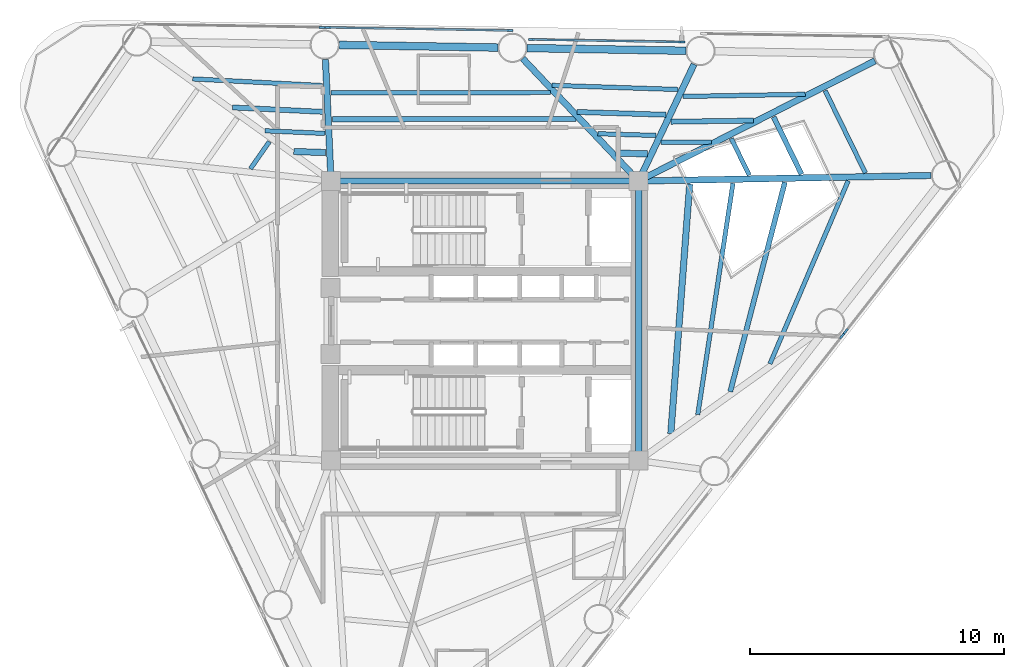
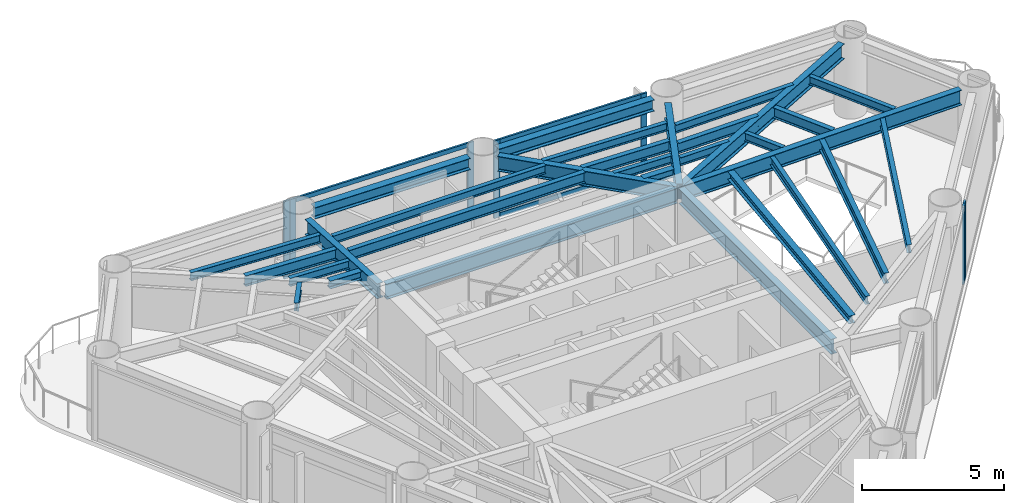
# One storey, part 3 of 10: 30 beams, 12 members, 5 elements without a shape of their own.
"""IFC4 building model written with IfcOpenShell, lengths in metres."""

import ifcopenshell
import ifcopenshell.guid

model = None  # the IFC model being written
_history = None  # IfcOwnerHistory: only IFC2X3 demands one
_inside = {}  # id of a spatial element -> (the spatial element, [elements in it])
_under = {}  # id of a project, library or spatial element -> (it, [spatial elements below it])
_declared = {}  # id of a project -> (the project, [libraries it declares])
_typed = {}  # id of a type object -> (the type object, [elements of that type])
_made_of = {}  # id of a material, layer set ... -> (it, [elements and type objects made of it])


def new_model(schema):
    """Start an empty IFC model of exactly this schema.

    Asked for "IFC4X3", IfcOpenShell would pick the latest addendum, in which some entities
    have other attributes; the version numbers below select the first issue.
    IFC2X3 requires an IfcOwnerHistory on every rooted entity: one is made here for all.
    """
    global model, _history
    if schema == "IFC4X3":
        model = ifcopenshell.file(schema_version=(4, 3, 0, 0))
    else:
        model = ifcopenshell.file(schema=schema)
    _inside.clear()
    _under.clear()
    _declared.clear()
    _typed.clear()
    _made_of.clear()
    _history = None
    if model.schema == "IFC2X3":
        org = make("IfcOrganization", Name="unknown")
        user = make(
            "IfcPersonAndOrganization",
            ThePerson=make("IfcPerson", FamilyName="unknown"),
            TheOrganization=org,
        )
        app = make(
            "IfcApplication",
            ApplicationDeveloper=org,
            Version="unknown",
            ApplicationFullName="unknown",
            ApplicationIdentifier="unknown",
        )
        _history = make(
            "IfcOwnerHistory",
            OwningUser=user,
            OwningApplication=app,
            ChangeAction="ADDED",
            CreationDate=0,
        )
    return model


def make(cls, **values):
    """One entity of the class cls with the attributes given. An attribute that is None is left unset."""
    return model.create_entity(
        cls, **{name: value for name, value in values.items() if value is not None}
    )


def rooted(cls, **values):
    """An entity with a GlobalId (a new one), such as an element, a storey or a relation."""
    return make(cls, GlobalId=ifcopenshell.guid.new(), OwnerHistory=_history, **values)


def si_unit(unit_type, name, prefix=None):
    """IfcSIUnit, for example si_unit("LENGTHUNIT", "METRE", prefix="MILLI")."""
    return make("IfcSIUnit", UnitType=unit_type, Prefix=prefix, Name=name)


def assignment(units):
    """IfcUnitAssignment: the units of a project."""
    return None if units is None else make("IfcUnitAssignment", Units=units)


def point(xyz):
    """IfcCartesianPoint."""
    return None if xyz is None else make("IfcCartesianPoint", Coordinates=xyz)


def direction(xyz):
    """IfcDirection."""
    return None if xyz is None else make("IfcDirection", DirectionRatios=xyz)


def frame(location, z_axis=None, x_axis=None):
    """IfcAxis2Placement3D, a coordinate frame: its origin and axes. An axis left out is left unset."""
    return make(
        "IfcAxis2Placement3D",
        Location=point(location),
        Axis=direction(z_axis),
        RefDirection=direction(x_axis),
    )


def frame_2d(location, x_axis=None):
    """IfcAxis2Placement2D, a coordinate frame in the plane: its origin and x axis."""
    return make(
        "IfcAxis2Placement2D", Location=point(location), RefDirection=direction(x_axis)
    )


def origin():
    """The frame at (0, 0, 0) with its axes left unset."""
    return frame((0.0, 0.0, 0.0))


def origin_2d():
    """The frame at (0, 0) in the plane with its x axis left unset."""
    return frame_2d((0.0, 0.0))


def place(relative_to, where):
    """IfcLocalPlacement: puts the frame where relative to a parent placement (None: the world)."""
    return make(
        "IfcLocalPlacement", PlacementRelTo=relative_to, RelativePlacement=where
    )


def context(
    kind, dimensions, precision=None, world=None, true_north=None, identifier=None
):
    """IfcGeometricRepresentationContext, for example the 3D "Model" context."""
    return make(
        "IfcGeometricRepresentationContext",
        ContextIdentifier=identifier,
        ContextType=kind,
        CoordinateSpaceDimension=dimensions,
        Precision=precision,
        WorldCoordinateSystem=world,
        TrueNorth=true_north,
    )


def subcontext(parent, identifier, kind, view, scale=None):
    """IfcGeometricRepresentationSubContext, for example "Body" below "Model"."""
    return make(
        "IfcGeometricRepresentationSubContext",
        ContextIdentifier=identifier,
        ContextType=kind,
        ParentContext=parent,
        TargetScale=scale,
        TargetView=view,
    )


def project(units=None, contexts=None):
    """IfcProject with its units and contexts."""
    return rooted(
        "IfcProject",
        Name="project",
        RepresentationContexts=contexts,
        UnitsInContext=assignment(units),
    )


def spatial(cls, under=None, at=None, **own):
    """A site, building, storey or space (cls), placed at a placement, below another one or the project."""
    s = rooted(cls, ObjectPlacement=at, **own)
    if under is not None:
        _under.setdefault(under.id(), (under, []))[1].append(s)
    return s


def profile(cls, at=None, kind="AREA", **sizes):
    """A parametric profile (cls). Its sizes go by their IFC names, for example OverallWidth=200.0."""
    return make(cls, ProfileType=kind, Position=at, **sizes)


def rectangle(**sizes):
    """IfcRectangleProfileDef."""
    return profile("IfcRectangleProfileDef", **sizes)


def i_section(**sizes):
    """IfcIShapeProfileDef."""
    return profile("IfcIShapeProfileDef", **sizes)


def extrude(swept, where, along, depth):
    """IfcExtrudedAreaSolid: the profile swept, set in the frame where, extruded along a direction by depth."""
    return make(
        "IfcExtrudedAreaSolid",
        SweptArea=swept,
        Position=where,
        ExtrudedDirection=direction(along),
        Depth=depth,
    )


def shape(context_of_items, identifier, shape_type, items):
    """IfcShapeRepresentation: the items that make up one representation, for example the "Body"."""
    return make(
        "IfcShapeRepresentation",
        ContextOfItems=context_of_items,
        RepresentationIdentifier=identifier,
        RepresentationType=shape_type,
        Items=items,
    )


def source(mapping_origin, context_of_items, identifier, shape_type, items):
    """IfcRepresentationMap: a shape defined once, which mapped items show again and again."""
    return make(
        "IfcRepresentationMap",
        MappingOrigin=mapping_origin,
        MappedRepresentation=shape(context_of_items, identifier, shape_type, items),
    )


def transform(
    local_origin,
    x_axis=None,
    y_axis=None,
    z_axis=None,
    scale=None,
    scale2=None,
    scale3=None,
    uniform=True,
):
    """IfcCartesianTransformationOperator3D, or its non-uniform kind. x_axis, y_axis, z_axis: its Axis1, 2, 3."""
    if uniform:
        return make(
            "IfcCartesianTransformationOperator3D",
            Axis1=direction(x_axis),
            Axis2=direction(y_axis),
            LocalOrigin=point(local_origin),
            Scale=scale,
            Axis3=direction(z_axis),
        )
    return make(
        "IfcCartesianTransformationOperator3DnonUniform",
        Axis1=direction(x_axis),
        Axis2=direction(y_axis),
        LocalOrigin=point(local_origin),
        Scale=scale,
        Axis3=direction(z_axis),
        Scale2=scale2,
        Scale3=scale3,
    )


def mapped(mapping_source, mapping_target):
    """IfcMappedItem: shows the shape of a source again, moved by a transform."""
    return make(
        "IfcMappedItem", MappingSource=mapping_source, MappingTarget=mapping_target
    )


def material(Name=None, Category=None):
    """IfcMaterial."""
    return make("IfcMaterial", Name=Name, Category=Category)


def layer(
    of_material, thickness, ventilated=None, Name=None, Category=None, Priority=None
):
    """IfcMaterialLayer: one layer of a wall or slab, of a material (None: an air gap)."""
    return make(
        "IfcMaterialLayer",
        Material=of_material,
        LayerThickness=thickness,
        IsVentilated=ventilated,
        Name=Name,
        Category=Category,
        Priority=Priority,
    )


def layer_set(layers, Name=None):
    """IfcMaterialLayerSet."""
    return make("IfcMaterialLayerSet", MaterialLayers=layers, LayerSetName=Name)


def material_profile(
    of_material, cross_section, Name=None, Category=None, Priority=None
):
    """IfcMaterialProfile: a cross section and its material."""
    return make(
        "IfcMaterialProfile",
        Name=Name,
        Material=of_material,
        Profile=cross_section,
        Priority=Priority,
        Category=Category,
    )


def profile_set(profiles, Name=None, composite=None):
    """IfcMaterialProfileSet."""
    return make(
        "IfcMaterialProfileSet",
        Name=Name,
        MaterialProfiles=profiles,
        CompositeProfile=composite,
    )


def made_of(thing, what):
    """Note that an element or type object is made of a material, layer set ...; save() writes the relation."""
    if what is not None:
        _made_of.setdefault(what.id(), (what, []))[1].append(thing)
    return thing


def type_object(cls, material=None, **own):
    """A type object (cls), such as IfcWallType, which elements share."""
    return made_of(rooted(cls, **own), material)


def element(
    cls,
    number,
    at=None,
    inside=None,
    cuts=None,
    type_object=None,
    material=None,
    context=None,
    identifier="Body",
    shape_type=None,
    held_by="IfcProductDefinitionShape",
    body=None,
    shapes=None,
    **own,
):
    """One element of the class cls, such as IfcWall. Its Tag is "e" and its number.

    at: its placement. inside: the storey or other place that contains it. cuts: it is an
    opening in that element (IfcRelVoidsElement). A single representation is given by context,
    identifier, shape_type and body (its items); several are given by shapes. held_by: the class
    of the entity that holds the representations. save() writes the other relations.
    """
    e = rooted(cls, Tag="e%d" % number, ObjectPlacement=at, **own)
    if body is not None:
        shapes = [shape(context, identifier, shape_type, body)]
    if shapes is not None:
        e.Representation = make(held_by, Representations=shapes)
    if inside is not None:
        _inside.setdefault(inside.id(), (inside, []))[1].append(e)
    if cuts is not None:
        rooted(
            "IfcRelVoidsElement", RelatingBuildingElement=cuts, RelatedOpeningElement=e
        )
    if type_object is not None:
        _typed.setdefault(type_object.id(), (type_object, []))[1].append(e)
    return made_of(e, material)


def aggregate(whole, parts):
    """IfcRelAggregates: a whole, such as a stair, and the parts it consists of."""
    return rooted("IfcRelAggregates", RelatingObject=whole, RelatedObjects=parts)


def save(model, path):
    """Write the relations noted so far, then the file.

    IfcRelAggregates (storeys below a building ...), IfcRelContainedInSpatialStructure (elements
    in a storey), IfcRelDefinesByType, IfcRelAssociatesMaterial and IfcRelDeclares: one each for
    every whole, place, type object, material and project.
    """
    for whole, parts in _under.values():
        aggregate(whole, parts)
    for where, things in _inside.values():
        rooted(
            "IfcRelContainedInSpatialStructure",
            RelatedElements=things,
            RelatingStructure=where,
        )
    for kind, things in _typed.values():
        rooted("IfcRelDefinesByType", RelatedObjects=things, RelatingType=kind)
    for what, things in _made_of.values():
        rooted("IfcRelAssociatesMaterial", RelatedObjects=things, RelatingMaterial=what)
    for by, libraries in _declared.values():
        rooted("IfcRelDeclares", RelatingContext=by, RelatedDefinitions=libraries)
    model.write(path)


model = new_model("IFC4")

# Units and contexts
model_context = context("Model", 3, precision=1e-05, world=origin(), true_north=direction((0.0, 1.0)))
body_context = subcontext(model_context, "Body", "Model", "MODEL_VIEW")
ifc_project = project(units=[si_unit("LENGTHUNIT", "METRE"), si_unit("AREAUNIT", "SQUARE_METRE"), si_unit("VOLUMEUNIT", "CUBIC_METRE"), si_unit("PLANEANGLEUNIT", "RADIAN"), si_unit("MASSUNIT", "GRAM", prefix="KILO")], contexts=[model_context])

# Site, building, storey
site_placement = place(None, origin())
site = spatial("IfcSite", under=ifc_project, at=site_placement, CompositionType="ELEMENT")
building_placement = place(site_placement, origin())
building = spatial("IfcBuilding", under=site, at=building_placement, Name="Yunling Apex Tower", CompositionType="ELEMENT")
storey_placement = place(building_placement, frame((0.0, 0.0, 215.60009765625)))
storey = spatial("IfcBuildingStorey", under=building, at=storey_placement, Name="L53", CompositionType="ELEMENT", Elevation=215.60009765625)

# Beams
ifc_material_1 = material(Name="Steel Q355B", Category="steel")
ifc_material_profile_1 = material_profile(ifc_material_1, i_section(OverallWidth=0.25, OverallDepth=0.64990234375, WebThickness=0.011962890625, FlangeThickness=0.02001953125, FilletRadius=0.02392578125, at=origin_2d()))
ifc_profile_set_1 = profile_set([ifc_material_profile_1], Name="Steel Q355B")
beam_type_1 = type_object("IfcBeamType", Name="BG-PRI-4", PredefinedType="USERDEFINED", material=ifc_profile_set_1)
shared_shape_1 = source(origin(), body_context, "Body", "SweptSolid", [
    extrude(i_section(OverallWidth=0.25, OverallDepth=0.64990234375, WebThickness=0.011962890625, FlangeThickness=0.02001953125, FilletRadius=0.02392578125, at=origin_2d()), origin(), (0.0, 0.0, 1.0), 11.7998046875),
])
beam_1_placement = place(storey_placement, frame((5.89990234375, 5.5, 2.90478515625), z_axis=(-1.0, 0.0, 0.0), x_axis=(0.0, -1.0, 0.0)))
element("IfcBeam", 1, at=beam_1_placement, inside=storey, type_object=beam_type_1, Name="L53 Core Ring Tie Beam 3", ObjectType="GIRDER", PredefinedType="USERDEFINED", context=body_context, shape_type="MappedRepresentation", body=[
    mapped(shared_shape_1, transform((0.0, 0.0, 0.0), scale=1.0)),
])
shared_shape_2 = source(origin(), body_context, "Body", "SweptSolid", [
    extrude(i_section(OverallWidth=0.25, OverallDepth=0.64990234375, WebThickness=0.011962890625, FlangeThickness=0.02001953125, FilletRadius=0.02392578125, at=origin_2d()), origin(), (0.0, 0.0, 1.0), 10.7001953125),
])
beam_2_placement = place(storey_placement, frame((6.050048828125, -5.35009765625, 2.90478515625), z_axis=(0.0, 1.0, 0.0), x_axis=(-1.0, 0.0, 0.0)))
element("IfcBeam", 2, at=beam_2_placement, inside=storey, type_object=beam_type_1, Name="L53 Core Ring Tie Beam 2", ObjectType="GIRDER", PredefinedType="USERDEFINED", context=body_context, shape_type="MappedRepresentation", body=[
    mapped(shared_shape_2, transform((0.0, 0.0, 0.0), scale=1.0)),
])
ifc_material_profile_2 = material_profile(ifc_material_1, i_section(OverallWidth=0.300048828125, OverallDepth=0.489990234375, WebThickness=0.010986328125, FlangeThickness=0.01806640625, FilletRadius=0.02197265625, at=origin_2d()))
ifc_profile_set_2 = profile_set([ifc_material_profile_2], Name="Steel Q355B")
beam_type_2 = type_object("IfcBeamType", Name="BP-SPN-2", PredefinedType="SPANDREL", material=ifc_profile_set_2)
shared_shape_3 = source(origin(), body_context, "Body", "SweptSolid", [
    extrude(i_section(OverallWidth=0.300048828125, OverallDepth=0.489990234375, WebThickness=0.010986328125, FlangeThickness=0.01806640625, FilletRadius=0.02197265625, at=origin_2d()), origin(), (0.0, 0.0, 1.0), 6.253173828125),
])
for number, where, z_axis, x_axis, name in (
    (3, (7.9130859375, 10.627197265625, 2.98486328125), (-0.999859061432, 0.016788605428, 0.0), (-0.016788605428, -0.999859061432, 0.0), "L53 Perimeter Spandrel Beam 7"),
    (4, (0.523193359375, 10.751220703125, 2.98486328125), (-0.99985971606, 0.016749573126, 0.0), (-0.016749573126, -0.99985971606, 0.0), "L53 Perimeter Spandrel Beam 8"),
):
    element("IfcBeam", number, at=place(storey_placement, frame(where, z_axis=z_axis, x_axis=x_axis)), inside=storey, type_object=beam_type_2, Name=name, PredefinedType="SPANDREL", context=body_context, shape_type="MappedRepresentation", body=[
        mapped(shared_shape_3, transform((0.0, 0.0, 0.0), scale=1.0)),
    ])
shared_shape_4 = source(origin(), body_context, "Body", "SweptSolid", [
    extrude(i_section(OverallWidth=0.25, OverallDepth=0.64990234375, WebThickness=0.011962890625, FlangeThickness=0.02001953125, FilletRadius=0.02392578125, at=origin_2d()), origin(), (0.0, 0.0, 1.0), 5.00341796875),
])
beam_3_placement = place(storey_placement, frame((8.231689453125, 10.09130859375, 2.90478515625), z_axis=(-0.429206106824, -0.903206575411, 0.0), x_axis=(0.903206575411, -0.429206106824, 0.0)))
element("IfcBeam", 5, at=beam_3_placement, inside=storey, type_object=beam_type_1, Name="L53 Radial Primary Girder R07", ObjectType="GIRDER", PredefinedType="USERDEFINED", context=body_context, shape_type="MappedRepresentation", body=[
    mapped(shared_shape_4, transform((0.0, 0.0, 0.0), scale=1.0)),
])
shared_shape_5 = source(origin(), body_context, "Body", "SweptSolid", [
    extrude(i_section(OverallWidth=0.25, OverallDepth=0.64990234375, WebThickness=0.011962890625, FlangeThickness=0.02001953125, FilletRadius=0.02392578125, at=origin_2d()), origin(), (0.0, 0.0, 1.0), 6.552001953125),
])
beam_4_placement = place(storey_placement, frame((1.49267578125, 10.318115234375, 2.90478515625), z_axis=(0.687178062581, -0.726489029723, 0.0), x_axis=(0.726489029723, 0.687178062581, 0.0)))
element("IfcBeam", 6, at=beam_4_placement, inside=storey, type_object=beam_type_1, Name="L53 Radial Primary Girder R08", ObjectType="GIRDER", PredefinedType="USERDEFINED", context=body_context, shape_type="MappedRepresentation", body=[
    mapped(shared_shape_5, transform((0.0, 0.0, 0.0), scale=1.0)),
])
shared_shape_6 = source(origin(), body_context, "Body", "SweptSolid", [
    extrude(i_section(OverallWidth=0.25, OverallDepth=0.64990234375, WebThickness=0.011962890625, FlangeThickness=0.02001953125, FilletRadius=0.02392578125, at=origin_2d()), origin(), (0.0, 0.0, 1.0), 4.70849609375),
])
beam_5_placement = place(storey_placement, frame((-6.27099609375, 10.283203125, 2.90478515625), z_axis=(0.046148548326, -0.998934588193, 0.0), x_axis=(0.998934588193, 0.046148548326, 0.0)))
element("IfcBeam", 7, at=beam_5_placement, inside=storey, type_object=beam_type_1, Name="L53 Radial Primary Girder R09", ObjectType="GIRDER", PredefinedType="USERDEFINED", context=body_context, shape_type="MappedRepresentation", body=[
    mapped(shared_shape_6, transform((0.0, 0.0, 0.0), scale=1.0)),
])
ifc_material_profile_3 = material_profile(ifc_material_1, i_section(OverallWidth=0.25, OverallDepth=0.340087890625, WebThickness=0.009033203125, FlangeThickness=0.013916015625, FilletRadius=0.01806640625, at=origin_2d()))
ifc_profile_set_3 = profile_set([ifc_material_profile_3], Name="Steel Q355B")
beam_type_3 = type_object("IfcBeamType", Name="BJ-JST-2", PredefinedType="JOIST", material=ifc_profile_set_3)
shared_shape_7 = source(origin(), body_context, "Body", "SweptSolid", [
    extrude(i_section(OverallWidth=0.25, OverallDepth=0.340087890625, WebThickness=0.009033203125, FlangeThickness=0.013916015625, FilletRadius=0.01806640625, at=origin_2d()), origin(), (0.0, 0.0, 1.0), 1.23291015625),
])
beam_6_placement = place(storey_placement, frame((6.396728515625, 6.570556640625, 3.059814453125), z_axis=(-0.999688635189, 0.024952608565, 0.0), x_axis=(-0.024952608565, -0.999688635189, 0.0)))
element("IfcBeam", 8, at=beam_6_placement, inside=storey, type_object=beam_type_3, Name="L53 Composite Floor Joist BJ2-7", PredefinedType="JOIST", context=body_context, shape_type="MappedRepresentation", body=[
    mapped(shared_shape_7, transform((0.0, 0.0, 0.0), scale=1.0)),
])
ifc_material_profile_4 = material_profile(ifc_material_1, i_section(OverallWidth=0.175048828125, OverallDepth=0.35009765625, WebThickness=0.007080078125, FlangeThickness=0.010986328125, FilletRadius=0.013916015625, at=origin_2d()))
ifc_profile_set_4 = profile_set([ifc_material_profile_4], Name="Steel Q355B")
beam_type_4 = type_object("IfcBeamType", Name="BJ-JST-1", PredefinedType="JOIST", material=ifc_profile_set_4)
shared_shape_8 = source(origin(), body_context, "Body", "SweptSolid", [
    extrude(i_section(OverallWidth=0.175048828125, OverallDepth=0.35009765625, WebThickness=0.007080078125, FlangeThickness=0.010986328125, FilletRadius=0.013916015625, at=origin_2d()), origin(), (0.0, 0.0, 1.0), 8.643310546875),
])
beam_7_placement = place(storey_placement, frame((2.59326171875, 8.985107421875, 3.054931640625), z_axis=(-0.999997695824, -0.002146705784, 0.0), x_axis=(0.002146705784, -0.999997695824, 0.0)))
element("IfcBeam", 9, at=beam_7_placement, inside=storey, type_object=beam_type_4, Name="L53 Composite Floor Joist BJ1-8", PredefinedType="JOIST", context=body_context, shape_type="MappedRepresentation", body=[
    mapped(shared_shape_8, transform((0.0, 0.0, 0.0), scale=1.0)),
])
ifc_material_profile_5 = material_profile(ifc_material_1, i_section(OverallWidth=0.199951171875, OverallDepth=0.449951171875, WebThickness=0.009033203125, FlangeThickness=0.013916015625, FilletRadius=0.01806640625, at=origin_2d()))
ifc_profile_set_5 = profile_set([ifc_material_profile_5], Name="Steel Q355B")
beam_type_5 = type_object("IfcBeamType", Name="BS-SEC-3", PredefinedType="BEAM", material=ifc_profile_set_5)
shared_shape_9 = source(origin(), body_context, "Body", "SweptSolid", [
    extrude(i_section(OverallWidth=0.199951171875, OverallDepth=0.449951171875, WebThickness=0.009033203125, FlangeThickness=0.013916015625, FilletRadius=0.01806640625, at=origin_2d()), origin(), (0.0, 0.0, 1.0), 3.599853515625),
])
beam_8_placement = place(storey_placement, frame((-6.335205078125, 8.221435546875, 3.0048828125), z_axis=(-0.998820387083, 0.048557536471, 0.0), x_axis=(-0.048557536471, -0.998820387083, 0.0)))
element("IfcBeam", 10, at=beam_8_placement, inside=storey, type_object=beam_type_5, Name="L53 Composite Floor Beam BS-9", PredefinedType="BEAM", context=body_context, shape_type="MappedRepresentation", body=[
    mapped(shared_shape_9, transform((0.0, 0.0, 0.0), scale=1.0)),
])
shared_shape_10 = source(origin(), body_context, "Body", "SweptSolid", [
    extrude(i_section(OverallWidth=0.175048828125, OverallDepth=0.35009765625, WebThickness=0.007080078125, FlangeThickness=0.010986328125, FilletRadius=0.013916015625, at=origin_2d()), origin(), (0.0, 0.0, 1.0), 5.116455078125),
])
beam_9_placement = place(storey_placement, frame((-6.3828125, 9.256591796875, 3.054931640625), z_axis=(-0.998690915519, 0.051151297728, 0.0), x_axis=(-0.051151297728, -0.998690915519, 0.0)))
element("IfcBeam", 11, at=beam_9_placement, inside=storey, type_object=beam_type_4, Name="L53 Composite Floor Joist BJ1-9", PredefinedType="JOIST", context=body_context, shape_type="MappedRepresentation", body=[
    mapped(shared_shape_10, transform((0.0, 0.0, 0.0), scale=1.0)),
])
shared_shape_11 = source(origin(), body_context, "Body", "SweptSolid", [
    extrude(i_section(OverallWidth=0.175048828125, OverallDepth=0.35009765625, WebThickness=0.007080078125, FlangeThickness=0.010986328125, FilletRadius=0.013916015625, at=origin_2d()), origin(), (0.0, 0.0, 1.0), 2.35888671875),
])
beam_10_placement = place(storey_placement, frame((-6.296142578125, 7.374267578125, 3.054931640625), z_axis=(-0.999023067934, 0.044191738321, 0.0), x_axis=(-0.044191738321, -0.999023067934, 0.0)))
element("IfcBeam", 12, at=beam_10_placement, inside=storey, type_object=beam_type_4, Name="L53 Composite Floor Joist BJ3-9", PredefinedType="JOIST", context=body_context, shape_type="MappedRepresentation", body=[
    mapped(shared_shape_11, transform((0.0, 0.0, 0.0), scale=1.0)),
])
shared_shape_12 = source(origin(), body_context, "Body", "SweptSolid", [
    extrude(i_section(OverallWidth=0.25, OverallDepth=0.340087890625, WebThickness=0.009033203125, FlangeThickness=0.013916015625, FilletRadius=0.01806640625, at=origin_2d()), origin(), (0.0, 0.0, 1.0), 1.256103515625),
])
beam_11_placement = place(storey_placement, frame((-6.261474609375, 6.6201171875, 3.059814453125), z_axis=(-0.999394634841, 0.034790283866, 0.0), x_axis=(-0.034790283866, -0.999394634841, 0.0)))
element("IfcBeam", 13, at=beam_11_placement, inside=storey, type_object=beam_type_3, Name="L53 Composite Floor Joist BJ2-9", PredefinedType="JOIST", context=body_context, shape_type="MappedRepresentation", body=[
    mapped(shared_shape_12, transform((0.0, 0.0, 0.0), scale=1.0)),
])
shared_shape_13 = source(origin(), body_context, "Body", "SweptSolid", [
    extrude(i_section(OverallWidth=0.175048828125, OverallDepth=0.35009765625, WebThickness=0.007080078125, FlangeThickness=0.010986328125, FilletRadius=0.013916015625, at=origin_2d()), origin(), (0.0, 0.0, 1.0), 1.29736328125),
])
beam_12_placement = place(storey_placement, frame((-8.478515625, 7.04833984375, 3.054931640625), z_axis=(-0.572590644925, -0.819841419632, 0.0), x_axis=(0.819841419632, -0.572590644925, 0.0)))
element("IfcBeam", 14, at=beam_12_placement, inside=storey, type_object=beam_type_4, Name="L53 Composite Floor Joist BJ3-10", PredefinedType="JOIST", context=body_context, shape_type="MappedRepresentation", body=[
    mapped(shared_shape_13, transform((0.0, 0.0, 0.0), scale=1.0)),
])
shared_shape_14 = source(origin(), body_context, "Body", "SweptSolid", [
    extrude(i_section(OverallWidth=0.25, OverallDepth=0.64990234375, WebThickness=0.011962890625, FlangeThickness=0.02001953125, FilletRadius=0.02392578125, at=origin_2d()), origin(), (0.0, 0.0, 1.0), 11.43310546875),
])
beam_13_placement = place(storey_placement, frame((17.560791015625, 5.719482421875, 2.90478515625), z_axis=(-0.99981816684, -0.019069170308, 0.0), x_axis=(0.019069170308, -0.99981816684, 0.0)))
element("IfcBeam", 15, at=beam_13_placement, inside=storey, type_object=beam_type_1, Name="L53 Radial Primary Girder R05", ObjectType="GIRDER", PredefinedType="USERDEFINED", context=body_context, shape_type="MappedRepresentation", body=[
    mapped(shared_shape_14, transform((0.0, 0.0, 0.0), scale=1.0)),
])
shared_shape_15 = source(origin(), body_context, "Body", "SweptSolid", [
    extrude(i_section(OverallWidth=0.25, OverallDepth=0.64990234375, WebThickness=0.011962890625, FlangeThickness=0.02001953125, FilletRadius=0.02392578125, at=origin_2d()), origin(), (0.0, 0.0, 1.0), 10.35546875),
])
beam_14_placement = place(storey_placement, frame((15.35205078125, 10.229736328125, 2.90478515625), z_axis=(-0.891393848029, -0.453229530919, 0.0), x_axis=(0.453229530919, -0.891393848029, 0.0)))
element("IfcBeam", 16, at=beam_14_placement, inside=storey, type_object=beam_type_1, Name="L53 Radial Primary Girder R06", ObjectType="GIRDER", PredefinedType="USERDEFINED", context=body_context, shape_type="MappedRepresentation", body=[
    mapped(shared_shape_15, transform((0.0, 0.0, 0.0), scale=1.0)),
])
shared_shape_16 = source(origin(), body_context, "Body", "SweptSolid", [
    extrude(i_section(OverallWidth=0.199951171875, OverallDepth=0.449951171875, WebThickness=0.009033203125, FlangeThickness=0.013916015625, FilletRadius=0.01806640625, at=origin_2d()), origin(), (0.0, 0.0, 1.0), 8.5185546875),
])
beam_15_placement = place(storey_placement, frame((9.65576171875, -2.787109375, 3.0048828125), z_axis=(0.252321560856, 0.967643441525, 0.0), x_axis=(-0.967643441525, 0.252321560856, 0.0)))
element("IfcBeam", 17, at=beam_15_placement, inside=storey, type_object=beam_type_5, Name="L53 Composite Floor Beam BS-4", PredefinedType="BEAM", context=body_context, shape_type="MappedRepresentation", body=[
    mapped(shared_shape_16, transform((0.0, 0.0, 0.0), scale=1.0)),
])
shared_shape_17 = source(origin(), body_context, "Body", "SweptSolid", [
    extrude(i_section(OverallWidth=0.175048828125, OverallDepth=0.35009765625, WebThickness=0.007080078125, FlangeThickness=0.010986328125, FilletRadius=0.013916015625, at=origin_2d()), origin(), (0.0, 0.0, 1.0), 7.83154296875),
])
beam_16_placement = place(storey_placement, frame((11.218505859375, -1.689697265625, 3.054931640625), z_axis=(0.393136578387, 0.919480087187, 0.0), x_axis=(-0.919480087187, 0.393136578387, 0.0)))
element("IfcBeam", 18, at=beam_16_placement, inside=storey, type_object=beam_type_4, Name="L53 Composite Floor Joist BJ1-4", PredefinedType="JOIST", context=body_context, shape_type="MappedRepresentation", body=[
    mapped(shared_shape_17, transform((0.0, 0.0, 0.0), scale=1.0)),
])
shared_shape_18 = source(origin(), body_context, "Body", "SweptSolid", [
    extrude(i_section(OverallWidth=0.175048828125, OverallDepth=0.35009765625, WebThickness=0.007080078125, FlangeThickness=0.010986328125, FilletRadius=0.013916015625, at=origin_2d()), origin(), (0.0, 0.0, 1.0), 9.20556640625),
])
beam_17_placement = place(storey_placement, frame((8.37939453125, -3.687744140625, 3.054931640625), z_axis=(0.15040086167, 0.988625096186, 0.0), x_axis=(-0.988625096186, 0.15040086167, 0.0)))
element("IfcBeam", 19, at=beam_17_placement, inside=storey, type_object=beam_type_4, Name="L53 Composite Floor Joist BJ3-4", PredefinedType="JOIST", context=body_context, shape_type="MappedRepresentation", body=[
    mapped(shared_shape_18, transform((0.0, 0.0, 0.0), scale=1.0)),
])
shared_shape_19 = source(origin(), body_context, "Body", "SweptSolid", [
    extrude(i_section(OverallWidth=0.25, OverallDepth=0.340087890625, WebThickness=0.009033203125, FlangeThickness=0.013916015625, FilletRadius=0.01806640625, at=origin_2d()), origin(), (0.0, 0.0, 1.0), 9.846923828125),
])
beam_18_placement = place(storey_placement, frame((7.317138671875, -4.43994140625, 3.059814453125), z_axis=(0.075570246767, 0.997140480476, 0.0), x_axis=(-0.997140480476, 0.075570246767, 0.0)))
element("IfcBeam", 20, at=beam_18_placement, inside=storey, type_object=beam_type_3, Name="L53 Composite Floor Joist BJ2-4", PredefinedType="JOIST", context=body_context, shape_type="MappedRepresentation", body=[
    mapped(shared_shape_19, transform((0.0, 0.0, 0.0), scale=1.0)),
])
shared_shape_20 = source(origin(), body_context, "Body", "SweptSolid", [
    extrude(i_section(OverallWidth=0.199951171875, OverallDepth=0.449951171875, WebThickness=0.009033203125, FlangeThickness=0.013916015625, FilletRadius=0.01806640625, at=origin_2d()), origin(), (0.0, 0.0, 1.0), 2.5078125),
])
beam_19_placement = place(storey_placement, frame((12.461181640625, 5.767333984375, 3.0048828125), z_axis=(-0.438782283506, 0.898593405095, 0.0), x_axis=(-0.898593405095, -0.438782283506, 0.0)))
element("IfcBeam", 21, at=beam_19_placement, inside=storey, type_object=beam_type_5, Name="L53 Composite Floor Beam BS-5", PredefinedType="BEAM", context=body_context, shape_type="MappedRepresentation", body=[
    mapped(shared_shape_20, transform((0.0, 0.0, 0.0), scale=1.0)),
])
shared_shape_21 = source(origin(), body_context, "Body", "SweptSolid", [
    extrude(i_section(OverallWidth=0.175048828125, OverallDepth=0.35009765625, WebThickness=0.007080078125, FlangeThickness=0.010986328125, FilletRadius=0.013916015625, at=origin_2d()), origin(), (0.0, 0.0, 1.0), 3.60498046875),
])
beam_20_placement = place(storey_placement, frame((14.975830078125, 5.815185546875, 3.054931640625), z_axis=(-0.439449397957, 0.898267346972, 0.0), x_axis=(-0.898267346972, -0.439449397957, 0.0)))
element("IfcBeam", 22, at=beam_20_placement, inside=storey, type_object=beam_type_4, Name="L53 Composite Floor Joist BJ1-5", PredefinedType="JOIST", context=body_context, shape_type="MappedRepresentation", body=[
    mapped(shared_shape_21, transform((0.0, 0.0, 0.0), scale=1.0)),
])
shared_shape_22 = source(origin(), body_context, "Body", "SweptSolid", [
    extrude(i_section(OverallWidth=0.175048828125, OverallDepth=0.35009765625, WebThickness=0.007080078125, FlangeThickness=0.010986328125, FilletRadius=0.013916015625, at=origin_2d()), origin(), (0.0, 0.0, 1.0), 1.610107421875),
])
beam_21_placement = place(storey_placement, frame((10.40380859375, 5.728271484375, 3.054931640625), z_axis=(-0.437787155183, 0.899078643255, 0.0), x_axis=(-0.899078643255, -0.437787155183, 0.0)))
element("IfcBeam", 23, at=beam_21_placement, inside=storey, type_object=beam_type_4, Name="L53 Composite Floor Joist BJ3-5", PredefinedType="JOIST", context=body_context, shape_type="MappedRepresentation", body=[
    mapped(shared_shape_22, transform((0.0, 0.0, 0.0), scale=1.0)),
])
shared_shape_23 = source(origin(), body_context, "Body", "SweptSolid", [
    extrude(i_section(OverallWidth=0.199951171875, OverallDepth=0.449951171875, WebThickness=0.009033203125, FlangeThickness=0.013916015625, FilletRadius=0.01806640625, at=origin_2d()), origin(), (0.0, 0.0, 1.0), 3.2587890625),
])
beam_22_placement = place(storey_placement, frame((10.57666015625, 7.880615234375, 3.0048828125), z_axis=(-0.999897622924, -0.01430886686, 0.0), x_axis=(0.01430886686, -0.999897622924, 0.0)))
element("IfcBeam", 24, at=beam_22_placement, inside=storey, type_object=beam_type_5, Name="L53 Composite Floor Beam BS-6", PredefinedType="BEAM", context=body_context, shape_type="MappedRepresentation", body=[
    mapped(shared_shape_23, transform((0.0, 0.0, 0.0), scale=1.0)),
])
shared_shape_24 = source(origin(), body_context, "Body", "SweptSolid", [
    extrude(i_section(OverallWidth=0.175048828125, OverallDepth=0.35009765625, WebThickness=0.007080078125, FlangeThickness=0.010986328125, FilletRadius=0.013916015625, at=origin_2d()), origin(), (0.0, 0.0, 1.0), 4.81787109375),
])
beam_23_placement = place(storey_placement, frame((12.607421875, 8.912841796875, 3.054931640625), z_axis=(-0.99984716936, -0.017482503341, 0.0), x_axis=(0.017482503341, -0.99984716936, 0.0)))
element("IfcBeam", 25, at=beam_23_placement, inside=storey, type_object=beam_type_4, Name="L53 Composite Floor Joist BJ1-6", PredefinedType="JOIST", context=body_context, shape_type="MappedRepresentation", body=[
    mapped(shared_shape_24, transform((0.0, 0.0, 0.0), scale=1.0)),
])
shared_shape_25 = source(origin(), body_context, "Body", "SweptSolid", [
    extrude(i_section(OverallWidth=0.175048828125, OverallDepth=0.35009765625, WebThickness=0.007080078125, FlangeThickness=0.010986328125, FilletRadius=0.013916015625, at=origin_2d()), origin(), (0.0, 0.0, 1.0), 1.98388671875),
])
beam_24_placement = place(storey_placement, frame((8.915283203125, 7.036865234375, 3.054931640625), z_axis=(-0.999962898772, -0.008614004789, 0.0), x_axis=(0.008614004789, -0.999962898772, 0.0)))
element("IfcBeam", 26, at=beam_24_placement, inside=storey, type_object=beam_type_4, Name="L53 Composite Floor Joist BJ3-6", PredefinedType="JOIST", context=body_context, shape_type="MappedRepresentation", body=[
    mapped(shared_shape_25, transform((0.0, 0.0, 0.0), scale=1.0)),
])
shared_shape_26 = source(origin(), body_context, "Body", "SweptSolid", [
    extrude(i_section(OverallWidth=0.199951171875, OverallDepth=0.449951171875, WebThickness=0.009033203125, FlangeThickness=0.013916015625, FilletRadius=0.01806640625, at=origin_2d()), origin(), (0.0, 0.0, 1.0), 3.4951171875),
])
beam_25_placement = place(storey_placement, frame((7.126953125, 8.10791015625, 3.0048828125), z_axis=(-0.999497037743, 0.03171232477, 0.0), x_axis=(-0.03171232477, -0.999497037743, 0.0)))
element("IfcBeam", 27, at=beam_25_placement, inside=storey, type_object=beam_type_5, Name="L53 Composite Floor Beam BS-7", PredefinedType="BEAM", context=body_context, shape_type="MappedRepresentation", body=[
    mapped(shared_shape_26, transform((0.0, 0.0, 0.0), scale=1.0)),
])
shared_shape_27 = source(origin(), body_context, "Body", "SweptSolid", [
    extrude(i_section(OverallWidth=0.175048828125, OverallDepth=0.35009765625, WebThickness=0.007080078125, FlangeThickness=0.010986328125, FilletRadius=0.013916015625, at=origin_2d()), origin(), (0.0, 0.0, 1.0), 4.958984375),
])
beam_26_placement = place(storey_placement, frame((7.599365234375, 9.102294921875, 3.054931640625), z_axis=(-0.999457457417, 0.032936162702, 0.0), x_axis=(-0.032936162702, -0.999457457417, 0.0)))
element("IfcBeam", 28, at=beam_26_placement, inside=storey, type_object=beam_type_4, Name="L53 Composite Floor Joist BJ1-7", PredefinedType="JOIST", context=body_context, shape_type="MappedRepresentation", body=[
    mapped(shared_shape_27, transform((0.0, 0.0, 0.0), scale=1.0)),
])
shared_shape_28 = source(origin(), body_context, "Body", "SweptSolid", [
    extrude(i_section(OverallWidth=0.175048828125, OverallDepth=0.35009765625, WebThickness=0.007080078125, FlangeThickness=0.010986328125, FilletRadius=0.013916015625, at=origin_2d()), origin(), (0.0, 0.0, 1.0), 2.29736328125),
])
beam_27_placement = place(storey_placement, frame((6.740478515625, 7.294189453125, 3.054931640625), z_axis=(-0.999560375387, 0.029648877816, 0.0), x_axis=(-0.029648877816, -0.999560375387, 0.0)))
element("IfcBeam", 29, at=beam_27_placement, inside=storey, type_object=beam_type_4, Name="L53 Composite Floor Joist BJ3-7", PredefinedType="JOIST", context=body_context, shape_type="MappedRepresentation", body=[
    mapped(shared_shape_28, transform((0.0, 0.0, 0.0), scale=1.0)),
])
shared_shape_29 = source(origin(), body_context, "Body", "SweptSolid", [
    extrude(i_section(OverallWidth=0.199951171875, OverallDepth=0.449951171875, WebThickness=0.009033203125, FlangeThickness=0.013916015625, FilletRadius=0.01806640625, at=origin_2d()), origin(), (0.0, 0.0, 1.0), 9.586181640625),
])
beam_28_placement = place(storey_placement, frame((3.583984375, 7.93798828125, 3.0048828125), z_axis=(-0.999999780767, -0.000662167179, 0.0), x_axis=(0.000662167179, -0.999999780767, 0.0)))
element("IfcBeam", 30, at=beam_28_placement, inside=storey, type_object=beam_type_5, Name="L53 Composite Floor Beam BS-8", PredefinedType="BEAM", context=body_context, shape_type="MappedRepresentation", body=[
    mapped(shared_shape_29, transform((0.0, 0.0, 0.0), scale=1.0)),
])

# Curtain wall, member
ifc_material_2 = material(Name="Bronze anodised aluminium", Category="aluminium")
ifc_layer = layer(ifc_material_2, 0.239990234375)
ifc_layer_set = layer_set([ifc_layer], Name="Bronze anodised aluminium")
curtain_wall_type = type_object("IfcCurtainWallType", Name="CW-SYS-3", PredefinedType="NOTDEFINED", material=ifc_layer_set)
curtain_wall_1_placement = place(storey_placement, origin())
curtain_wall_1 = element("IfcCurtainWall", 31, at=curtain_wall_1_placement, inside=storey, type_object=curtain_wall_type, Name="CW-L53-F1-B3", PredefinedType="NOTDEFINED")
ifc_material_profile_6 = material_profile(ifc_material_2, rectangle(XDim=0.080078125, YDim=0.239990234375, at=origin_2d()))
ifc_profile_set_6 = profile_set([ifc_material_profile_6], Name="Bronze anodised aluminium")
member_type_1 = type_object("IfcMemberType", Name="CW-MUL-3", PredefinedType="MULLION", material=ifc_profile_set_6)
shared_shape_30 = source(origin(), body_context, "Body", "SweptSolid", [
    extrude(rectangle(XDim=0.080078125, YDim=0.239990234375, at=origin_2d()), origin(), (0.0, 0.0, 1.0), 3.329833984375),
])
member_1_placement = place(storey_placement, frame((14.051025390625, -0.603759765625, -0.050048828125), z_axis=(0.0, 0.0, 1.0), x_axis=(-0.787589332433, 0.616200489644, 0.0)))
member_1 = element("IfcMember", 32, at=member_1_placement, type_object=member_type_1, Name="CW-SYS-3 mullion 2", PredefinedType="MULLION", context=body_context, shape_type="MappedRepresentation", body=[
    mapped(shared_shape_30, transform((0.0, 0.0, 0.0), scale=1.0)),
])
aggregate(curtain_wall_1, [member_1])

curtain_wall_2_placement = place(storey_placement, origin())
curtain_wall_2 = element("IfcCurtainWall", 33, at=curtain_wall_2_placement, inside=storey, type_object=curtain_wall_type, Name="CW-L53-F1-B4", PredefinedType="NOTDEFINED")
member_2_placement = place(storey_placement, frame((14.198974609375, -0.414794921875, -0.050048828125), z_axis=(0.0, 0.0, 1.0), x_axis=(-0.787589332433, 0.616200489644, 0.0)))
member_2 = element("IfcMember", 34, at=member_2_placement, type_object=member_type_1, Name="CW-SYS-3 mullion 1", PredefinedType="MULLION", context=body_context, shape_type="MappedRepresentation", body=[
    mapped(shared_shape_30, transform((0.0, 0.0, 0.0), scale=1.0)),
])
aggregate(curtain_wall_2, [member_2])

# Curtain wall, members
curtain_wall_3_placement = place(storey_placement, origin())
curtain_wall_3 = element("IfcCurtainWall", 35, at=curtain_wall_3_placement, inside=storey, type_object=curtain_wall_type, Name="CW-L53-F2-B2", PredefinedType="NOTDEFINED")
member_3_placement = place(storey_placement, frame((7.747802734375, 10.97021484375, -0.050048828125), z_axis=(0.0, 0.0, 1.0), x_axis=(-0.016758635119, -0.999859564213, 0.0)))
member_3 = element("IfcMember", 36, at=member_3_placement, type_object=member_type_1, Name="CW-SYS-3 mullion 1", PredefinedType="MULLION", context=body_context, shape_type="MappedRepresentation", body=[
    mapped(shared_shape_30, transform((0.0, 0.0, 0.0), scale=1.0)),
])
member_4_placement = place(storey_placement, frame((1.837646484375, 11.0693359375, -0.050048828125), z_axis=(0.0, 0.0, 1.0), x_axis=(-0.016758635119, -0.999859564213, 0.0)))
member_4 = element("IfcMember", 37, at=member_4_placement, type_object=member_type_1, Name="CW-SYS-3 mullion 2", PredefinedType="MULLION", context=body_context, shape_type="MappedRepresentation", body=[
    mapped(shared_shape_30, transform((0.0, 0.0, 0.0), scale=1.0)),
])

curtain_wall_4_placement = place(storey_placement, origin())
curtain_wall_4 = element("IfcCurtainWall", 38, at=curtain_wall_4_placement, inside=storey, type_object=curtain_wall_type, Name="CW-L53-F2-B3", PredefinedType="NOTDEFINED")
member_5_placement = place(storey_placement, frame((0.9833984375, 11.423583984375, -0.050048828125), z_axis=(0.0, 0.0, 1.0), x_axis=(-0.016747305141, -0.999859754051, 0.0)))
member_5 = element("IfcMember", 39, at=member_5_placement, type_object=member_type_1, Name="CW-SYS-3 mullion 1", PredefinedType="MULLION", context=body_context, shape_type="MappedRepresentation", body=[
    mapped(shared_shape_30, transform((0.0, 0.0, 0.0), scale=1.0)),
])
member_6_placement = place(storey_placement, frame((-6.16650390625, 11.54345703125, -0.050048828125), z_axis=(0.0, 0.0, 1.0), x_axis=(-0.016747305141, -0.999859754051, 0.0)))
member_6 = element("IfcMember", 40, at=member_6_placement, type_object=member_type_1, Name="CW-SYS-3 mullion 2", PredefinedType="MULLION", context=body_context, shape_type="MappedRepresentation", body=[
    mapped(shared_shape_30, transform((0.0, 0.0, 0.0), scale=1.0)),
])

# Curtain wall, member
curtain_wall_5_placement = place(storey_placement, origin())
curtain_wall_5 = element("IfcCurtainWall", 41, at=curtain_wall_5_placement, inside=storey, type_object=curtain_wall_type, Name="CW-L53-F2-B4", PredefinedType="NOTDEFINED")
member_7_placement = place(storey_placement, frame((-6.406494140625, 11.54736328125, -0.050048828125), z_axis=(0.0, 0.0, 1.0), x_axis=(-0.016761362354, -0.999859518498, 0.0)))
member_7 = element("IfcMember", 42, at=member_7_placement, type_object=member_type_1, Name="CW-SYS-3 mullion 1", PredefinedType="MULLION", context=body_context, shape_type="MappedRepresentation", body=[
    mapped(shared_shape_30, transform((0.0, 0.0, 0.0), scale=1.0)),
])
aggregate(curtain_wall_5, [member_7])

# Member
ifc_material_profile_7 = material_profile(ifc_material_2, rectangle(XDim=0.080078125, YDim=0.18505859375, at=origin_2d()))
ifc_profile_set_7 = profile_set([ifc_material_profile_7], Name="Bronze anodised aluminium")
member_type_2 = type_object("IfcMemberType", Name="CW-TRN-3", PredefinedType="USERDEFINED", material=ifc_profile_set_7)
shared_shape_31 = source(origin(), body_context, "Body", "SweptSolid", [
    extrude(rectangle(XDim=0.080078125, YDim=0.18505859375, at=origin_2d()), origin(), (0.0, 0.0, 1.0), 5.8388671875),
])
member_8_placement = place(storey_placement, frame((7.7119140625, 10.970703125, 0.039794921875), z_axis=(-0.99985942793, 0.016766764128, 0.0), x_axis=(-0.016766764128, -0.99985942793, 0.0)))
member_8 = element("IfcMember", 43, at=member_8_placement, type_object=member_type_2, Name="CW-SYS-3 transom 1.1", ObjectType="TRANSOM", PredefinedType="USERDEFINED", context=body_context, shape_type="MappedRepresentation", body=[
    mapped(shared_shape_31, transform((0.0, 0.0, 0.0), scale=1.0)),
])

member_9_placement = place(storey_placement, frame((7.7119140625, 10.970703125, 2.45458984375), z_axis=(-0.99985942793, 0.016766764128, 0.0), x_axis=(-0.016766764128, -0.99985942793, 0.0)))
member_9 = element("IfcMember", 44, at=member_9_placement, type_object=member_type_2, Name="CW-SYS-3 transom 1.2", ObjectType="TRANSOM", PredefinedType="USERDEFINED", context=body_context, shape_type="MappedRepresentation", body=[
    mapped(shared_shape_31, transform((0.0, 0.0, 0.0), scale=1.0)),
])

member_10_placement = place(storey_placement, frame((7.7119140625, 10.970703125, 3.18994140625), z_axis=(-0.99985942793, 0.016766764128, 0.0), x_axis=(-0.016766764128, -0.99985942793, 0.0)))
member_10 = element("IfcMember", 45, at=member_10_placement, type_object=member_type_2, Name="CW-SYS-3 transom 1.3", ObjectType="TRANSOM", PredefinedType="USERDEFINED", context=body_context, shape_type="MappedRepresentation", body=[
    mapped(shared_shape_31, transform((0.0, 0.0, 0.0), scale=1.0)),
])

aggregate(curtain_wall_3, [member_3, member_4, member_8, member_9, member_10])

shared_shape_32 = source(origin(), body_context, "Body", "SweptSolid", [
    extrude(rectangle(XDim=0.080078125, YDim=0.18505859375, at=origin_2d()), origin(), (0.0, 0.0, 1.0), 7.0791015625),
])
member_11_placement = place(storey_placement, frame((0.947509765625, 11.42431640625, 0.039794921875), z_axis=(-0.999860103777, 0.01672641247, 0.0), x_axis=(-0.01672641247, -0.999860103777, 0.0)))
member_11 = element("IfcMember", 46, at=member_11_placement, type_object=member_type_2, Name="CW-SYS-3 transom 1.1", ObjectType="TRANSOM", PredefinedType="USERDEFINED", context=body_context, shape_type="MappedRepresentation", body=[
    mapped(shared_shape_32, transform((0.0, 0.0, 0.0), scale=1.0)),
])

member_12_placement = place(storey_placement, frame((0.947509765625, 11.42431640625, 3.18994140625), z_axis=(-0.999860103777, 0.01672641247, 0.0), x_axis=(-0.01672641247, -0.999860103777, 0.0)))
member_12 = element("IfcMember", 47, at=member_12_placement, type_object=member_type_2, Name="CW-SYS-3 transom 1.2", ObjectType="TRANSOM", PredefinedType="USERDEFINED", context=body_context, shape_type="MappedRepresentation", body=[
    mapped(shared_shape_32, transform((0.0, 0.0, 0.0), scale=1.0)),
])

aggregate(curtain_wall_4, [member_5, member_6, member_11, member_12])

save(model, "model.ifc")
